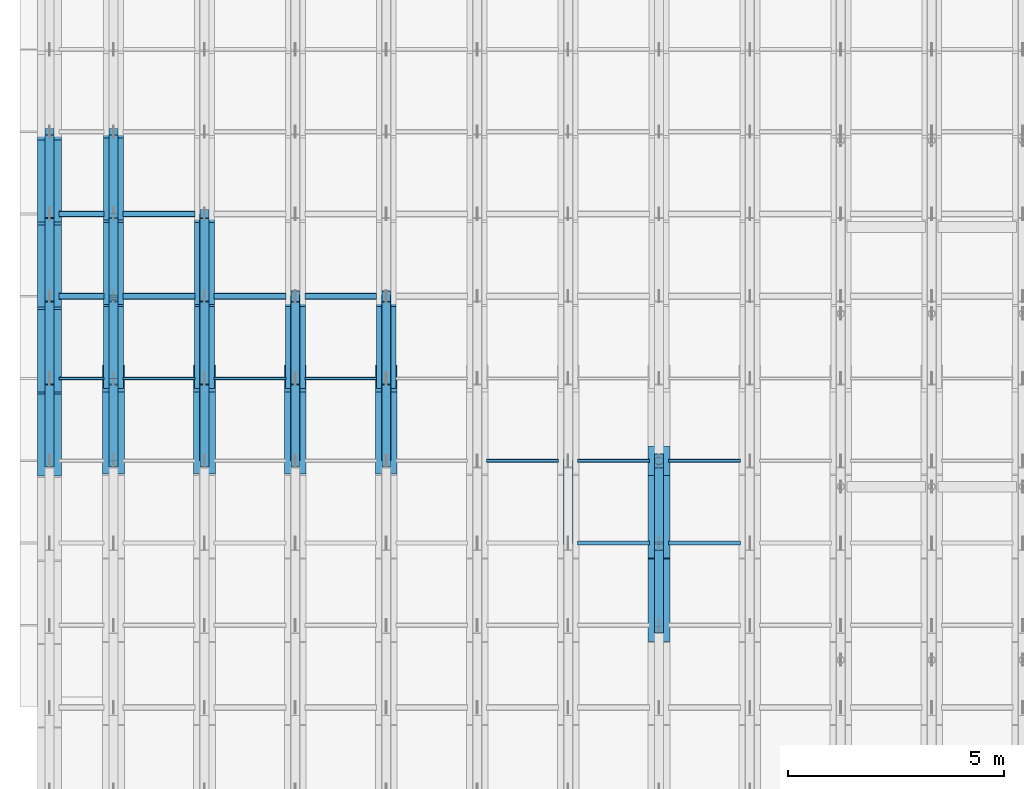
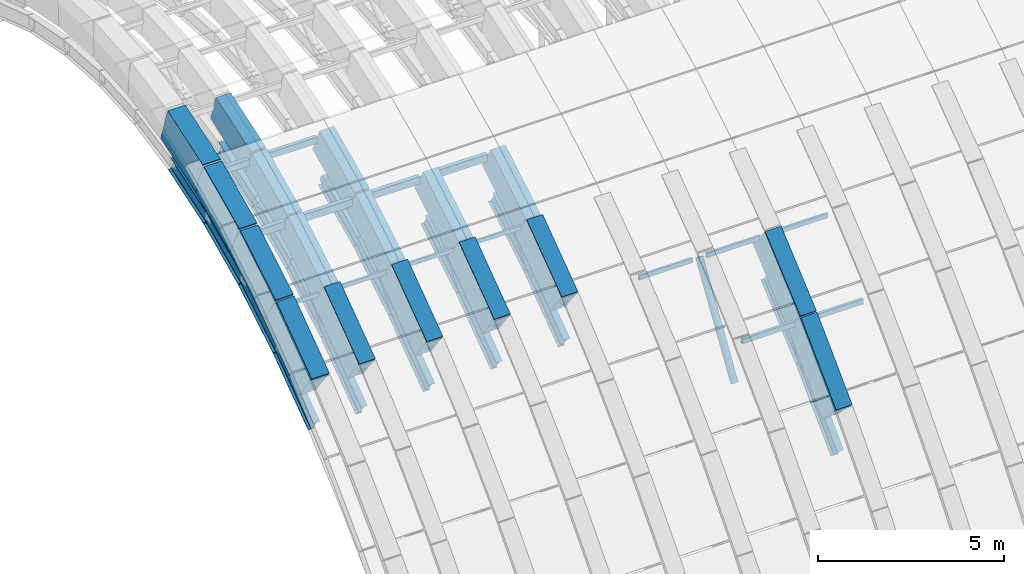
# One storey, part 3 of 67: 34 beams, 28 members.
"""IFC4 building model written with IfcOpenShell, lengths in metres."""

from ifc_helpers import new_model, si_unit, direction, frame, origin, origin_2d, place, context, subcontext, project, spatial, rectangle, hollow_rectangle, hollow_circle, i_section, extrude, material, material_profile, profile_set, type_object, element, save


model = new_model("IFC4")

# Units and contexts
model_context = context("Model", 3, precision=1e-05, world=origin(), true_north=direction((0.0, 1.0)))
body_context = subcontext(model_context, "Body", "Model", "MODEL_VIEW")
ifc_project = project(units=[si_unit("LENGTHUNIT", "METRE"), si_unit("AREAUNIT", "SQUARE_METRE"), si_unit("VOLUMEUNIT", "CUBIC_METRE"), si_unit("PLANEANGLEUNIT", "RADIAN"), si_unit("MASSUNIT", "GRAM", prefix="KILO")], contexts=[model_context])

# Site, building, storey
site_placement = place(None, origin())
site = spatial("IfcSite", under=ifc_project, at=site_placement, CompositionType="ELEMENT")
building_placement = place(site_placement, origin())
building = spatial("IfcBuilding", under=site, at=building_placement, Name="Shengluoqiao Park Theatre", CompositionType="ELEMENT")
storey_placement = place(building_placement, frame((0.0, 0.0, 28.60009765625)))
storey = spatial("IfcBuildingStorey", under=building, at=storey_placement, Name="Roof", CompositionType="ELEMENT", Elevation=28.60009765625)

# Beams
ifc_material_1 = material(Name="Concrete C50", Category="concrete")
ifc_material_profile_1 = material_profile(ifc_material_1, rectangle(XDim=0.4599609375, YDim=0.919921875, at=origin_2d()), Name="RC ARCH 460x920")
ifc_profile_set_1 = profile_set([ifc_material_profile_1], Name="Concrete C50")
beam_type_1 = type_object("IfcBeamType", Name="STR-BM-AR-4609", PredefinedType="BEAM", material=ifc_profile_set_1)
beam_1_placement = place(storey_placement, frame((46.5, 85.5, -0.570068359375), z_axis=(0.0, 0.858668723557, 0.512530997292), x_axis=(-1.0, 0.0, 0.0)))
element("IfcBeam", 1, at=beam_1_placement, inside=storey, type_object=beam_type_1, Name="Barrel-Shell Arch Rib R02-S06", PredefinedType="BEAM", context=body_context, shape_type="SweptSolid", body=[
    extrude(rectangle(XDim=0.4599609375, YDim=0.919921875, at=origin_2d()), origin(), (0.0, 0.0, 1.0), 2.212646484375),
])
beam_2_placement = place(storey_placement, frame((46.5, 87.39990234375, 0.56396484375), z_axis=(0.0, 0.907077318021, 0.420964059192), x_axis=(-1.0, 0.0, 0.0)))
element("IfcBeam", 2, at=beam_2_placement, inside=storey, type_object=beam_type_1, Name="Barrel-Shell Arch Rib R02-S07", PredefinedType="BEAM", context=body_context, shape_type="SweptSolid", body=[
    extrude(rectangle(XDim=0.4599609375, YDim=0.919921875, at=origin_2d()), origin(), (0.0, 0.0, 1.0), 2.0947265625),
])
beam_3_placement = place(storey_placement, frame((46.5, 89.300048828125, 1.44580078125), z_axis=(0.0, 0.949157901431, 0.314800378257), x_axis=(-1.0, 0.0, 0.0)))
element("IfcBeam", 3, at=beam_3_placement, inside=storey, type_object=beam_type_1, Name="Barrel-Shell Arch Rib R02-S08", PredefinedType="BEAM", context=body_context, shape_type="SweptSolid", body=[
    extrude(rectangle(XDim=0.4599609375, YDim=0.919921875, at=origin_2d()), origin(), (0.0, 0.0, 1.0), 2.001708984375),
])
beam_4_placement = place(storey_placement, frame((48.60009765625, 85.5, -0.570068359375), z_axis=(0.0, 0.858668723557, 0.512530997292), x_axis=(-1.0, 0.0, 0.0)))
element("IfcBeam", 4, at=beam_4_placement, inside=storey, type_object=beam_type_1, Name="Barrel-Shell Arch Rib R03-S06", PredefinedType="BEAM", context=body_context, shape_type="SweptSolid", body=[
    extrude(rectangle(XDim=0.4599609375, YDim=0.919921875, at=origin_2d()), origin(), (0.0, 0.0, 1.0), 2.212646484375),
])
beam_5_placement = place(storey_placement, frame((48.60009765625, 87.39990234375, 0.56396484375), z_axis=(0.0, 0.907077318021, 0.420964059192), x_axis=(-1.0, 0.0, 0.0)))
element("IfcBeam", 5, at=beam_5_placement, inside=storey, type_object=beam_type_1, Name="Barrel-Shell Arch Rib R03-S07", PredefinedType="BEAM", context=body_context, shape_type="SweptSolid", body=[
    extrude(rectangle(XDim=0.4599609375, YDim=0.919921875, at=origin_2d()), origin(), (0.0, 0.0, 1.0), 2.0947265625),
])
for number, where, z_axis, x_axis, name in (
    (6, (50.699951171875, 85.5, -0.570068359375), (0.0, 0.858668723557, 0.512530997292), (-1.0, 0.0, 0.0), "Barrel-Shell Arch Rib R04-S06"),
    (7, (52.800048828125, 85.5, -0.570068359375), (0.0, 0.858668723557, 0.512530997292), (-1.0, 0.0, 0.0), "Barrel-Shell Arch Rib R05-S06"),
):
    element("IfcBeam", number, at=place(storey_placement, frame(where, z_axis=z_axis, x_axis=x_axis)), inside=storey, type_object=beam_type_1, Name=name, PredefinedType="BEAM", context=body_context, shape_type="SweptSolid", body=[
        extrude(rectangle(XDim=0.4599609375, YDim=0.919921875, at=origin_2d()), origin(), (0.0, 0.0, 1.0), 2.212646484375),
    ])
ifc_material_profile_2 = material_profile(ifc_material_1, rectangle(XDim=0.5, YDim=1.050048828125, at=origin_2d()), Name="RC ARCH 500x1050")
ifc_profile_set_2 = profile_set([ifc_material_profile_2], Name="Concrete C50")
beam_type_2 = type_object("IfcBeamType", Name="STR-BM-AR-5010", PredefinedType="BEAM", material=ifc_profile_set_2)
for number, where, z_axis, x_axis, name in (
    (8, (46.5, 83.60009765625, -1.9560546875), (0.0, 0.807877780345, 0.589350058985), (-1.0, 0.0, 0.0), "Barrel-Shell Arch Rib R02-S05"),
    (9, (48.60009765625, 83.60009765625, -1.9560546875), (0.0, 0.807877780345, 0.589350058985), (-1.0, 0.0, 0.0), "Barrel-Shell Arch Rib R03-S05"),
    (10, (50.699951171875, 83.60009765625, -1.9560546875), (0.0, 0.807877780345, 0.589350058985), (-1.0, 0.0, 0.0), "Barrel-Shell Arch Rib R04-S05"),
    (11, (52.800048828125, 83.60009765625, -1.9560546875), (0.0, 0.807877780345, 0.589350058985), (-1.0, 0.0, 0.0), "Barrel-Shell Arch Rib R05-S05"),
):
    element("IfcBeam", number, at=place(storey_placement, frame(where, z_axis=z_axis, x_axis=x_axis)), inside=storey, type_object=beam_type_2, Name=name, PredefinedType="BEAM", context=body_context, shape_type="SweptSolid", body=[
        extrude(rectangle(XDim=0.5, YDim=1.050048828125, at=origin_2d()), origin(), (0.0, 0.0, 1.0), 2.351806640625),
    ])
beam_6_placement = place(storey_placement, frame((59.10009765625, 79.800048828125, -5.484130859375), z_axis=(0.0, 0.708926398432, 0.705282469373), x_axis=(-1.0, 0.0, 0.0)))
element("IfcBeam", 12, at=beam_6_placement, inside=storey, type_object=beam_type_2, Name="Barrel-Shell Arch Rib R08-S03", PredefinedType="BEAM", context=body_context, shape_type="SweptSolid", body=[
    extrude(rectangle(XDim=0.5, YDim=1.050048828125, at=origin_2d()), origin(), (0.0, 0.0, 1.0), 2.679931640625),
])
beam_7_placement = place(storey_placement, frame((59.10009765625, 81.699951171875, -3.593994140625), z_axis=(0.0, 0.757433195517, 0.652912669757), x_axis=(-1.0, 0.0, 0.0)))
element("IfcBeam", 13, at=beam_7_placement, inside=storey, type_object=beam_type_2, Name="Barrel-Shell Arch Rib R08-S04", PredefinedType="BEAM", context=body_context, shape_type="SweptSolid", body=[
    extrude(rectangle(XDim=0.5, YDim=1.050048828125, at=origin_2d()), origin(), (0.0, 0.0, 1.0), 2.508544921875),
])
ifc_material_profile_3 = material_profile(ifc_material_1, rectangle(XDim=0.550048828125, YDim=1.199951171875, at=origin_2d()), Name="RC ARCH 550x1200")
ifc_profile_set_3 = profile_set([ifc_material_profile_3], Name="Concrete C50")
beam_type_3 = type_object("IfcBeamType", Name="STR-BM-AR-5512", PredefinedType="BEAM", material=ifc_profile_set_3)
beam_8_placement = place(storey_placement, frame((45.02001953125, 83.60009765625, -1.9560546875), z_axis=(0.0, 0.807877780345, 0.589350058985), x_axis=(-1.0, 0.0, 0.0)))
element("IfcBeam", 14, at=beam_8_placement, inside=storey, type_object=beam_type_3, Name="Barrel-Shell Arch Rib R01-S05", PredefinedType="BEAM", context=body_context, shape_type="SweptSolid", body=[
    extrude(rectangle(XDim=0.550048828125, YDim=1.199951171875, at=origin_2d()), origin(), (0.0, 0.0, 1.0), 2.351806640625),
])
beam_9_placement = place(storey_placement, frame((45.02001953125, 85.5, -0.570068359375), z_axis=(0.0, 0.858668723557, 0.512530997292), x_axis=(-1.0, 0.0, 0.0)))
element("IfcBeam", 15, at=beam_9_placement, inside=storey, type_object=beam_type_3, Name="Barrel-Shell Arch Rib R01-S06", PredefinedType="BEAM", context=body_context, shape_type="SweptSolid", body=[
    extrude(rectangle(XDim=0.550048828125, YDim=1.199951171875, at=origin_2d()), origin(), (0.0, 0.0, 1.0), 2.212646484375),
])
beam_10_placement = place(storey_placement, frame((45.02001953125, 87.39990234375, 0.56396484375), z_axis=(0.0, 0.907077318021, 0.420964059192), x_axis=(-1.0, 0.0, 0.0)))
element("IfcBeam", 16, at=beam_10_placement, inside=storey, type_object=beam_type_3, Name="Barrel-Shell Arch Rib R01-S07", PredefinedType="BEAM", context=body_context, shape_type="SweptSolid", body=[
    extrude(rectangle(XDim=0.550048828125, YDim=1.199951171875, at=origin_2d()), origin(), (0.0, 0.0, 1.0), 2.0947265625),
])
beam_11_placement = place(storey_placement, frame((45.02001953125, 89.300048828125, 1.44580078125), z_axis=(0.0, 0.949157901431, 0.314800378257), x_axis=(-1.0, 0.0, 0.0)))
element("IfcBeam", 17, at=beam_11_placement, inside=storey, type_object=beam_type_3, Name="Barrel-Shell Arch Rib R01-S08", PredefinedType="BEAM", context=body_context, shape_type="SweptSolid", body=[
    extrude(rectangle(XDim=0.550048828125, YDim=1.199951171875, at=origin_2d()), origin(), (0.0, 0.0, 1.0), 2.001708984375),
])
ifc_material_2 = material(Name="Steel Q355", Category="steel")
ifc_material_profile_4 = material_profile(ifc_material_2, i_section(OverallWidth=0.199951171875, OverallDepth=0.5, WebThickness=0.010009765625, FlangeThickness=0.01611328125, FilletRadius=0.01806640625, at=origin_2d()), Name="HN 500x200x10x16")
ifc_profile_set_4 = profile_set([ifc_material_profile_4], Name="Steel Q355")
beam_type_4 = type_object("IfcBeamType", Name="STR-BM-J-HN500", PredefinedType="JOIST", material=ifc_profile_set_4)
beam_12_placement = place(storey_placement, frame((45.02001953125, 83.60009765625, -3.316162109375), z_axis=(0.0, 0.807877780345, 0.589350058985), x_axis=(-1.0, 0.0, 0.0)))
element("IfcBeam", 18, at=beam_12_placement, inside=storey, type_object=beam_type_4, Name="Barrel-Shell Lower Arch Chord R01-S05", PredefinedType="JOIST", context=body_context, shape_type="SweptSolid", body=[
    extrude(i_section(OverallWidth=0.199951171875, OverallDepth=0.5, WebThickness=0.010009765625, FlangeThickness=0.01611328125, FilletRadius=0.01806640625, at=origin_2d()), origin(), (0.0, 0.0, 1.0), 2.351806640625),
])
beam_13_placement = place(storey_placement, frame((45.02001953125, 85.5, -1.93017578125), z_axis=(0.0, 0.858668723557, 0.512530997292), x_axis=(-1.0, 0.0, 0.0)))
element("IfcBeam", 19, at=beam_13_placement, inside=storey, type_object=beam_type_4, Name="Barrel-Shell Lower Arch Chord R01-S06", PredefinedType="JOIST", context=body_context, shape_type="SweptSolid", body=[
    extrude(i_section(OverallWidth=0.199951171875, OverallDepth=0.5, WebThickness=0.010009765625, FlangeThickness=0.01611328125, FilletRadius=0.01806640625, at=origin_2d()), origin(), (0.0, 0.0, 1.0), 2.212646484375),
])
beam_14_placement = place(storey_placement, frame((45.02001953125, 87.39990234375, -0.796142578125), z_axis=(0.0, 0.907032812412, 0.421059944911), x_axis=(-1.0, 0.0, 0.0)))
element("IfcBeam", 20, at=beam_14_placement, inside=storey, type_object=beam_type_4, Name="Barrel-Shell Lower Arch Chord R01-S07", PredefinedType="JOIST", context=body_context, shape_type="SweptSolid", body=[
    extrude(i_section(OverallWidth=0.199951171875, OverallDepth=0.5, WebThickness=0.010009765625, FlangeThickness=0.01611328125, FilletRadius=0.01806640625, at=origin_2d()), origin(), (0.0, 0.0, 1.0), 2.094970703125),
])
beam_15_placement = place(storey_placement, frame((45.02001953125, 89.300048828125, 0.0859375), z_axis=(0.0, 0.949194340043, 0.314690490531), x_axis=(-1.0, 0.0, 0.0)))
element("IfcBeam", 21, at=beam_15_placement, inside=storey, type_object=beam_type_4, Name="Barrel-Shell Lower Arch Chord R01-S08", PredefinedType="JOIST", context=body_context, shape_type="SweptSolid", body=[
    extrude(i_section(OverallWidth=0.199951171875, OverallDepth=0.5, WebThickness=0.010009765625, FlangeThickness=0.01611328125, FilletRadius=0.01806640625, at=origin_2d()), origin(), (0.0, 0.0, 1.0), 2.001708984375),
])
beam_16_placement = place(storey_placement, frame((46.5, 83.60009765625, -3.316162109375), z_axis=(0.0, 0.807877780345, 0.589350058985), x_axis=(-1.0, 0.0, 0.0)))
element("IfcBeam", 22, at=beam_16_placement, inside=storey, type_object=beam_type_4, Name="Barrel-Shell Lower Arch Chord R02-S05", PredefinedType="JOIST", context=body_context, shape_type="SweptSolid", body=[
    extrude(i_section(OverallWidth=0.199951171875, OverallDepth=0.5, WebThickness=0.010009765625, FlangeThickness=0.01611328125, FilletRadius=0.01806640625, at=origin_2d()), origin(), (0.0, 0.0, 1.0), 2.351806640625),
])
beam_17_placement = place(storey_placement, frame((46.5, 85.5, -1.93017578125), z_axis=(0.0, 0.858668723557, 0.512530997292), x_axis=(-1.0, 0.0, 0.0)))
element("IfcBeam", 23, at=beam_17_placement, inside=storey, type_object=beam_type_4, Name="Barrel-Shell Lower Arch Chord R02-S06", PredefinedType="JOIST", context=body_context, shape_type="SweptSolid", body=[
    extrude(i_section(OverallWidth=0.199951171875, OverallDepth=0.5, WebThickness=0.010009765625, FlangeThickness=0.01611328125, FilletRadius=0.01806640625, at=origin_2d()), origin(), (0.0, 0.0, 1.0), 2.212646484375),
])
beam_18_placement = place(storey_placement, frame((46.5, 87.39990234375, -0.796142578125), z_axis=(0.0, 0.907032812412, 0.421059944911), x_axis=(-1.0, 0.0, 0.0)))
element("IfcBeam", 24, at=beam_18_placement, inside=storey, type_object=beam_type_4, Name="Barrel-Shell Lower Arch Chord R02-S07", PredefinedType="JOIST", context=body_context, shape_type="SweptSolid", body=[
    extrude(i_section(OverallWidth=0.199951171875, OverallDepth=0.5, WebThickness=0.010009765625, FlangeThickness=0.01611328125, FilletRadius=0.01806640625, at=origin_2d()), origin(), (0.0, 0.0, 1.0), 2.094970703125),
])
beam_19_placement = place(storey_placement, frame((46.5, 89.300048828125, 0.0859375), z_axis=(0.0, 0.949194340043, 0.314690490531), x_axis=(-1.0, 0.0, 0.0)))
element("IfcBeam", 25, at=beam_19_placement, inside=storey, type_object=beam_type_4, Name="Barrel-Shell Lower Arch Chord R02-S08", PredefinedType="JOIST", context=body_context, shape_type="SweptSolid", body=[
    extrude(i_section(OverallWidth=0.199951171875, OverallDepth=0.5, WebThickness=0.010009765625, FlangeThickness=0.01611328125, FilletRadius=0.01806640625, at=origin_2d()), origin(), (0.0, 0.0, 1.0), 2.001708984375),
])
beam_20_placement = place(storey_placement, frame((48.60009765625, 83.60009765625, -3.316162109375), z_axis=(0.0, 0.807877780345, 0.589350058985), x_axis=(-1.0, 0.0, 0.0)))
element("IfcBeam", 26, at=beam_20_placement, inside=storey, type_object=beam_type_4, Name="Barrel-Shell Lower Arch Chord R03-S05", PredefinedType="JOIST", context=body_context, shape_type="SweptSolid", body=[
    extrude(i_section(OverallWidth=0.199951171875, OverallDepth=0.5, WebThickness=0.010009765625, FlangeThickness=0.01611328125, FilletRadius=0.01806640625, at=origin_2d()), origin(), (0.0, 0.0, 1.0), 2.351806640625),
])
beam_21_placement = place(storey_placement, frame((48.60009765625, 85.5, -1.93017578125), z_axis=(0.0, 0.858668723557, 0.512530997292), x_axis=(-1.0, 0.0, 0.0)))
element("IfcBeam", 27, at=beam_21_placement, inside=storey, type_object=beam_type_4, Name="Barrel-Shell Lower Arch Chord R03-S06", PredefinedType="JOIST", context=body_context, shape_type="SweptSolid", body=[
    extrude(i_section(OverallWidth=0.199951171875, OverallDepth=0.5, WebThickness=0.010009765625, FlangeThickness=0.01611328125, FilletRadius=0.01806640625, at=origin_2d()), origin(), (0.0, 0.0, 1.0), 2.212646484375),
])
beam_22_placement = place(storey_placement, frame((48.60009765625, 87.39990234375, -0.796142578125), z_axis=(0.0, 0.907032812412, 0.421059944911), x_axis=(-1.0, 0.0, 0.0)))
element("IfcBeam", 28, at=beam_22_placement, inside=storey, type_object=beam_type_4, Name="Barrel-Shell Lower Arch Chord R03-S07", PredefinedType="JOIST", context=body_context, shape_type="SweptSolid", body=[
    extrude(i_section(OverallWidth=0.199951171875, OverallDepth=0.5, WebThickness=0.010009765625, FlangeThickness=0.01611328125, FilletRadius=0.01806640625, at=origin_2d()), origin(), (0.0, 0.0, 1.0), 2.094970703125),
])
beam_23_placement = place(storey_placement, frame((50.699951171875, 83.60009765625, -3.316162109375), z_axis=(0.0, 0.807877780345, 0.589350058985), x_axis=(-1.0, 0.0, 0.0)))
element("IfcBeam", 29, at=beam_23_placement, inside=storey, type_object=beam_type_4, Name="Barrel-Shell Lower Arch Chord R04-S05", PredefinedType="JOIST", context=body_context, shape_type="SweptSolid", body=[
    extrude(i_section(OverallWidth=0.199951171875, OverallDepth=0.5, WebThickness=0.010009765625, FlangeThickness=0.01611328125, FilletRadius=0.01806640625, at=origin_2d()), origin(), (0.0, 0.0, 1.0), 2.351806640625),
])
beam_24_placement = place(storey_placement, frame((50.699951171875, 85.5, -1.93017578125), z_axis=(0.0, 0.858668723557, 0.512530997292), x_axis=(-1.0, 0.0, 0.0)))
element("IfcBeam", 30, at=beam_24_placement, inside=storey, type_object=beam_type_4, Name="Barrel-Shell Lower Arch Chord R04-S06", PredefinedType="JOIST", context=body_context, shape_type="SweptSolid", body=[
    extrude(i_section(OverallWidth=0.199951171875, OverallDepth=0.5, WebThickness=0.010009765625, FlangeThickness=0.01611328125, FilletRadius=0.01806640625, at=origin_2d()), origin(), (0.0, 0.0, 1.0), 2.212646484375),
])
beam_25_placement = place(storey_placement, frame((52.800048828125, 83.60009765625, -3.316162109375), z_axis=(0.0, 0.807877780345, 0.589350058985), x_axis=(-1.0, 0.0, 0.0)))
element("IfcBeam", 31, at=beam_25_placement, inside=storey, type_object=beam_type_4, Name="Barrel-Shell Lower Arch Chord R05-S05", PredefinedType="JOIST", context=body_context, shape_type="SweptSolid", body=[
    extrude(i_section(OverallWidth=0.199951171875, OverallDepth=0.5, WebThickness=0.010009765625, FlangeThickness=0.01611328125, FilletRadius=0.01806640625, at=origin_2d()), origin(), (0.0, 0.0, 1.0), 2.351806640625),
])
beam_26_placement = place(storey_placement, frame((52.800048828125, 85.5, -1.93017578125), z_axis=(0.0, 0.858668723557, 0.512530997292), x_axis=(-1.0, 0.0, 0.0)))
element("IfcBeam", 32, at=beam_26_placement, inside=storey, type_object=beam_type_4, Name="Barrel-Shell Lower Arch Chord R05-S06", PredefinedType="JOIST", context=body_context, shape_type="SweptSolid", body=[
    extrude(i_section(OverallWidth=0.199951171875, OverallDepth=0.5, WebThickness=0.010009765625, FlangeThickness=0.01611328125, FilletRadius=0.01806640625, at=origin_2d()), origin(), (0.0, 0.0, 1.0), 2.212646484375),
])
beam_27_placement = place(storey_placement, frame((59.10009765625, 79.800048828125, -6.843994140625), z_axis=(0.0, 0.708971948389, 0.70523668112), x_axis=(-1.0, 0.0, 0.0)))
element("IfcBeam", 33, at=beam_27_placement, inside=storey, type_object=beam_type_4, Name="Barrel-Shell Lower Arch Chord R08-S03", PredefinedType="JOIST", context=body_context, shape_type="SweptSolid", body=[
    extrude(i_section(OverallWidth=0.199951171875, OverallDepth=0.5, WebThickness=0.010009765625, FlangeThickness=0.01611328125, FilletRadius=0.01806640625, at=origin_2d()), origin(), (0.0, 0.0, 1.0), 2.6796875),
])
beam_28_placement = place(storey_placement, frame((59.10009765625, 81.699951171875, -4.9541015625), z_axis=(0.0, 0.757433195517, 0.652912669757), x_axis=(-1.0, 0.0, 0.0)))
element("IfcBeam", 34, at=beam_28_placement, inside=storey, type_object=beam_type_4, Name="Barrel-Shell Lower Arch Chord R08-S04", PredefinedType="JOIST", context=body_context, shape_type="SweptSolid", body=[
    extrude(i_section(OverallWidth=0.199951171875, OverallDepth=0.5, WebThickness=0.010009765625, FlangeThickness=0.01611328125, FilletRadius=0.01806640625, at=origin_2d()), origin(), (0.0, 0.0, 1.0), 2.508544921875),
])

# Members
ifc_material_profile_5 = material_profile(ifc_material_2, hollow_circle(Radius=0.109619140625, WallThickness=0.010009765625, at=origin_2d()), Name="CHS 219x10")
ifc_profile_set_5 = profile_set([ifc_material_profile_5], Name="Steel Q355")
member_type_1 = type_object("IfcMemberType", Name="STR-MEM-BRC-219", PredefinedType="BRACE", material=ifc_profile_set_5)
member_1_placement = place(storey_placement, frame((46.5, 83.60009765625, -1.9560546875), z_axis=(0.0, 0.999907244674, 0.013619913639), x_axis=(-1.0, 0.0, 0.0)))
element("IfcMember", 35, at=member_1_placement, inside=storey, type_object=member_type_1, Name="Barrel-Shell Arch Truss Web 0025", PredefinedType="BRACE", context=body_context, shape_type="SweptSolid", body=[
    extrude(hollow_circle(Radius=0.109619140625, WallThickness=0.010009765625, at=origin_2d()), origin(), (0.0, 0.0, 1.0), 1.900146484375),
])
member_2_placement = place(storey_placement, frame((46.5, 85.5, -1.93017578125), z_axis=(0.0, 0.605963445698, 0.795492490523), x_axis=(-1.0, 0.0, 0.0)))
element("IfcMember", 36, at=member_2_placement, inside=storey, type_object=member_type_1, Name="Barrel-Shell Arch Truss Web 0026", PredefinedType="BRACE", context=body_context, shape_type="SweptSolid", body=[
    extrude(hollow_circle(Radius=0.109619140625, WallThickness=0.010009765625, at=origin_2d()), origin(), (0.0, 0.0, 1.0), 3.13525390625),
])
member_3_placement = place(storey_placement, frame((46.5, 87.39990234375, 0.56396484375), z_axis=(0.0, 0.96978228772, -0.243971954176), x_axis=(-1.0, 0.0, 0.0)))
element("IfcMember", 37, at=member_3_placement, inside=storey, type_object=member_type_1, Name="Barrel-Shell Arch Truss Web 0027", PredefinedType="BRACE", context=body_context, shape_type="SweptSolid", body=[
    extrude(hollow_circle(Radius=0.109619140625, WallThickness=0.010009765625, at=origin_2d()), origin(), (0.0, 0.0, 1.0), 1.95947265625),
])
member_4_placement = place(storey_placement, frame((48.60009765625, 83.60009765625, -1.9560546875), z_axis=(0.0, 0.999907244674, 0.013619913639), x_axis=(-1.0, 0.0, 0.0)))
element("IfcMember", 38, at=member_4_placement, inside=storey, type_object=member_type_1, Name="Barrel-Shell Arch Truss Web 0045", PredefinedType="BRACE", context=body_context, shape_type="SweptSolid", body=[
    extrude(hollow_circle(Radius=0.109619140625, WallThickness=0.010009765625, at=origin_2d()), origin(), (0.0, 0.0, 1.0), 1.900146484375),
])
member_5_placement = place(storey_placement, frame((48.60009765625, 85.5, -1.93017578125), z_axis=(0.0, 0.605963445698, 0.795492490523), x_axis=(-1.0, 0.0, 0.0)))
element("IfcMember", 39, at=member_5_placement, inside=storey, type_object=member_type_1, Name="Barrel-Shell Arch Truss Web 0046", PredefinedType="BRACE", context=body_context, shape_type="SweptSolid", body=[
    extrude(hollow_circle(Radius=0.109619140625, WallThickness=0.010009765625, at=origin_2d()), origin(), (0.0, 0.0, 1.0), 3.13525390625),
])
member_6_placement = place(storey_placement, frame((48.60009765625, 87.39990234375, 0.56396484375), z_axis=(0.0, 0.96978228772, -0.243971954176), x_axis=(-1.0, 0.0, 0.0)))
element("IfcMember", 40, at=member_6_placement, inside=storey, type_object=member_type_1, Name="Barrel-Shell Arch Truss Web 0047", PredefinedType="BRACE", context=body_context, shape_type="SweptSolid", body=[
    extrude(hollow_circle(Radius=0.109619140625, WallThickness=0.010009765625, at=origin_2d()), origin(), (0.0, 0.0, 1.0), 1.95947265625),
])
member_7_placement = place(storey_placement, frame((50.699951171875, 83.60009765625, -1.9560546875), z_axis=(0.0, 0.999907244674, 0.013619913639), x_axis=(-1.0, 0.0, 0.0)))
element("IfcMember", 41, at=member_7_placement, inside=storey, type_object=member_type_1, Name="Barrel-Shell Arch Truss Web 0065", PredefinedType="BRACE", context=body_context, shape_type="SweptSolid", body=[
    extrude(hollow_circle(Radius=0.109619140625, WallThickness=0.010009765625, at=origin_2d()), origin(), (0.0, 0.0, 1.0), 1.900146484375),
])
member_8_placement = place(storey_placement, frame((50.699951171875, 85.5, -1.93017578125), z_axis=(0.0, 0.605963445698, 0.795492490523), x_axis=(-1.0, 0.0, 0.0)))
element("IfcMember", 42, at=member_8_placement, inside=storey, type_object=member_type_1, Name="Barrel-Shell Arch Truss Web 0066", PredefinedType="BRACE", context=body_context, shape_type="SweptSolid", body=[
    extrude(hollow_circle(Radius=0.109619140625, WallThickness=0.010009765625, at=origin_2d()), origin(), (0.0, 0.0, 1.0), 3.13525390625),
])
member_9_placement = place(storey_placement, frame((52.800048828125, 83.60009765625, -1.9560546875), z_axis=(0.0, 0.999907244674, 0.013619913639), x_axis=(-1.0, 0.0, 0.0)))
element("IfcMember", 43, at=member_9_placement, inside=storey, type_object=member_type_1, Name="Barrel-Shell Arch Truss Web 0085", PredefinedType="BRACE", context=body_context, shape_type="SweptSolid", body=[
    extrude(hollow_circle(Radius=0.109619140625, WallThickness=0.010009765625, at=origin_2d()), origin(), (0.0, 0.0, 1.0), 1.900146484375),
])
member_10_placement = place(storey_placement, frame((52.800048828125, 85.5, -1.93017578125), z_axis=(0.0, 0.605963445698, 0.795492490523), x_axis=(-1.0, 0.0, 0.0)))
element("IfcMember", 44, at=member_10_placement, inside=storey, type_object=member_type_1, Name="Barrel-Shell Arch Truss Web 0086", PredefinedType="BRACE", context=body_context, shape_type="SweptSolid", body=[
    extrude(hollow_circle(Radius=0.109619140625, WallThickness=0.010009765625, at=origin_2d()), origin(), (0.0, 0.0, 1.0), 3.13525390625),
])
member_11_placement = place(storey_placement, frame((57.0, 81.699951171875, -4.9541015625), z_axis=(0.0, 0.535330234694, 0.844642847494), x_axis=(-1.0, 0.0, 0.0)))
element("IfcMember", 45, at=member_11_placement, inside=storey, type_object=member_type_1, Name="Barrel-Shell Arch Truss Web 0124", PredefinedType="BRACE", context=body_context, shape_type="SweptSolid", body=[
    extrude(hollow_circle(Radius=0.109619140625, WallThickness=0.010009765625, at=origin_2d()), origin(), (0.0, 0.0, 1.0), 3.549560546875),
])
member_12_placement = place(storey_placement, frame((59.10009765625, 79.800048828125, -5.484130859375), z_axis=(0.0, 0.963219400843, 0.268716180831), x_axis=(-1.0, 0.0, 0.0)))
element("IfcMember", 46, at=member_12_placement, inside=storey, type_object=member_type_1, Name="Barrel-Shell Arch Truss Web 0143", PredefinedType="BRACE", context=body_context, shape_type="SweptSolid", body=[
    extrude(hollow_circle(Radius=0.109619140625, WallThickness=0.010009765625, at=origin_2d()), origin(), (0.0, 0.0, 1.0), 1.972412109375),
])
member_13_placement = place(storey_placement, frame((59.10009765625, 81.699951171875, -4.9541015625), z_axis=(0.0, 0.535330234694, 0.844642847494), x_axis=(-1.0, 0.0, 0.0)))
element("IfcMember", 47, at=member_13_placement, inside=storey, type_object=member_type_1, Name="Barrel-Shell Arch Truss Web 0144", PredefinedType="BRACE", context=body_context, shape_type="SweptSolid", body=[
    extrude(hollow_circle(Radius=0.109619140625, WallThickness=0.010009765625, at=origin_2d()), origin(), (0.0, 0.0, 1.0), 3.549560546875),
])
ifc_material_profile_6 = material_profile(ifc_material_2, hollow_rectangle(XDim=0.070068359375, YDim=0.139892578125, WallThickness=0.006103515625, InnerFilletRadius=0.006103515625, OuterFilletRadius=0.011962890625, at=origin_2d()), Name="RHS 140x70x6")
ifc_profile_set_6 = profile_set([ifc_material_profile_6], Name="Steel Q355")
member_type_2 = type_object("IfcMemberType", Name="STR-MEM-PU-R140", PredefinedType="PURLIN", material=ifc_profile_set_6)
member_14_placement = place(storey_placement, frame((45.239990234375, 85.5, -0.570068359375), z_axis=(1.0, 0.0, 0.0), x_axis=(0.0, 1.0, 0.0)))
element("IfcMember", 48, at=member_14_placement, inside=storey, type_object=member_type_2, Name="Shell Longitudinal Purlin 0005", PredefinedType="PURLIN", context=body_context, shape_type="SweptSolid", body=[
    extrude(hollow_rectangle(XDim=0.070068359375, YDim=0.139892578125, WallThickness=0.006103515625, InnerFilletRadius=0.006103515625, OuterFilletRadius=0.011962890625, at=origin_2d()), origin(), (0.0, 0.0, 1.0), 1.0400390625),
])
for number, where, z_axis, x_axis, name in (
    (49, (46.719970703125, 85.5, -0.570068359375), (1.0, 0.0, 0.0), (0.0, 1.0, 0.0), "Shell Longitudinal Purlin 0024"),
    (50, (48.820068359375, 85.5, -0.570068359375), (1.0, 0.0, 0.0), (0.0, 1.0, 0.0), "Shell Longitudinal Purlin 0043"),
):
    element("IfcMember", number, at=place(storey_placement, frame(where, z_axis=z_axis, x_axis=x_axis)), inside=storey, type_object=member_type_2, Name=name, PredefinedType="PURLIN", context=body_context, shape_type="SweptSolid", body=[
        extrude(hollow_rectangle(XDim=0.070068359375, YDim=0.139892578125, WallThickness=0.006103515625, InnerFilletRadius=0.006103515625, OuterFilletRadius=0.011962890625, at=origin_2d()), origin(), (0.0, 0.0, 1.0), 1.659912109375),
    ])
member_15_placement = place(storey_placement, frame((50.919921875, 85.5, -0.570068359375), z_axis=(1.0, 0.0, 0.0), x_axis=(0.0, 1.0, 0.0)))
element("IfcMember", 51, at=member_15_placement, inside=storey, type_object=member_type_2, Name="Shell Longitudinal Purlin 0062", PredefinedType="PURLIN", context=body_context, shape_type="SweptSolid", body=[
    extrude(hollow_rectangle(XDim=0.070068359375, YDim=0.139892578125, WallThickness=0.006103515625, InnerFilletRadius=0.006103515625, OuterFilletRadius=0.011962890625, at=origin_2d()), origin(), (0.0, 0.0, 1.0), 1.66015625),
])
ifc_material_profile_7 = material_profile(ifc_material_2, hollow_rectangle(XDim=0.080078125, YDim=0.159912109375, WallThickness=0.006103515625, InnerFilletRadius=0.006103515625, OuterFilletRadius=0.011962890625, at=origin_2d()), Name="RHS 160x80x6")
ifc_profile_set_7 = profile_set([ifc_material_profile_7], Name="Steel Q355")
member_type_3 = type_object("IfcMemberType", Name="STR-MEM-PU-R160", PredefinedType="PURLIN", material=ifc_profile_set_7)
for number, where, z_axis, x_axis, name in (
    (52, (55.1201171875, 83.60009765625, -1.97607421875), (1.0, 0.0, 0.0), (0.0, 1.0, 0.0), "Shell Longitudinal Purlin 0099"),
    (53, (57.219970703125, 83.60009765625, -1.97607421875), (1.0, 0.0, 0.0), (0.0, 1.0, 0.0), "Shell Longitudinal Purlin 0118"),
    (54, (59.320068359375, 83.60009765625, -1.97607421875), (1.0, 0.0, 0.0), (0.0, 1.0, 0.0), "Shell Longitudinal Purlin 0137"),
):
    element("IfcMember", number, at=place(storey_placement, frame(where, z_axis=z_axis, x_axis=x_axis)), inside=storey, type_object=member_type_3, Name=name, PredefinedType="PURLIN", context=body_context, shape_type="SweptSolid", body=[
        extrude(hollow_rectangle(XDim=0.080078125, YDim=0.159912109375, WallThickness=0.006103515625, InnerFilletRadius=0.006103515625, OuterFilletRadius=0.011962890625, at=origin_2d()), origin(), (0.0, 0.0, 1.0), 1.659912109375),
    ])
ifc_material_profile_8 = material_profile(ifc_material_2, hollow_rectangle(XDim=0.10009765625, YDim=0.179931640625, WallThickness=0.008056640625, InnerFilletRadius=0.008056640625, OuterFilletRadius=0.01611328125, at=origin_2d()), Name="RHS 180x100x8")
ifc_profile_set_8 = profile_set([ifc_material_profile_8], Name="Steel Q355")
member_type_4 = type_object("IfcMemberType", Name="STR-MEM-PU-R180", PredefinedType="PURLIN", material=ifc_profile_set_8)
for number, where, z_axis, x_axis, name in (
    (55, (57.219970703125, 81.699951171875, -3.64404296875), (1.0, 0.0, 0.0), (0.0, 1.0, 0.0), "Shell Longitudinal Purlin 0117"),
    (56, (59.320068359375, 81.699951171875, -3.64404296875), (1.0, 0.0, 0.0), (0.0, 1.0, 0.0), "Shell Longitudinal Purlin 0136"),
):
    element("IfcMember", number, at=place(storey_placement, frame(where, z_axis=z_axis, x_axis=x_axis)), inside=storey, type_object=member_type_4, Name=name, PredefinedType="PURLIN", context=body_context, shape_type="SweptSolid", body=[
        extrude(hollow_rectangle(XDim=0.10009765625, YDim=0.179931640625, WallThickness=0.008056640625, InnerFilletRadius=0.008056640625, OuterFilletRadius=0.01611328125, at=origin_2d()), origin(), (0.0, 0.0, 1.0), 1.659912109375),
    ])
ifc_material_profile_9 = material_profile(ifc_material_2, hollow_rectangle(XDim=0.139892578125, YDim=0.219970703125, WallThickness=0.010009765625, InnerFilletRadius=0.010009765625, OuterFilletRadius=0.02001953125, at=origin_2d()), Name="RHS 220x140x10")
ifc_profile_set_9 = profile_set([ifc_material_profile_9], Name="Steel Q355")
member_type_5 = type_object("IfcMemberType", Name="STR-MEM-PU-R220", PredefinedType="PURLIN", material=ifc_profile_set_9)
member_16_placement = place(storey_placement, frame((45.239990234375, 89.300048828125, 1.475830078125), z_axis=(1.0, 0.0, 0.0), x_axis=(0.0, 1.0, 0.0)))
element("IfcMember", 57, at=member_16_placement, inside=storey, type_object=member_type_5, Name="Shell Longitudinal Purlin 0007", PredefinedType="PURLIN", context=body_context, shape_type="SweptSolid", body=[
    extrude(hollow_rectangle(XDim=0.139892578125, YDim=0.219970703125, WallThickness=0.010009765625, InnerFilletRadius=0.010009765625, OuterFilletRadius=0.02001953125, at=origin_2d()), origin(), (0.0, 0.0, 1.0), 1.0400390625),
])
member_17_placement = place(storey_placement, frame((46.719970703125, 89.300048828125, 1.475830078125), z_axis=(1.0, 0.0, 0.0), x_axis=(0.0, 1.0, 0.0)))
element("IfcMember", 58, at=member_17_placement, inside=storey, type_object=member_type_5, Name="Shell Longitudinal Purlin 0026", PredefinedType="PURLIN", context=body_context, shape_type="SweptSolid", body=[
    extrude(hollow_rectangle(XDim=0.139892578125, YDim=0.219970703125, WallThickness=0.010009765625, InnerFilletRadius=0.010009765625, OuterFilletRadius=0.02001953125, at=origin_2d()), origin(), (0.0, 0.0, 1.0), 1.659912109375),
])
ifc_material_profile_10 = material_profile(ifc_material_2, hollow_rectangle(XDim=0.14990234375, YDim=0.25, WallThickness=0.010009765625, InnerFilletRadius=0.010009765625, OuterFilletRadius=0.02001953125, at=origin_2d()), Name="RHS 250x150x10")
ifc_profile_set_10 = profile_set([ifc_material_profile_10], Name="Steel Q355")
member_type_6 = type_object("IfcMemberType", Name="STR-MEM-PU-R250", PredefinedType="PURLIN", material=ifc_profile_set_10)
member_18_placement = place(storey_placement, frame((45.239990234375, 87.39990234375, 0.583984375), z_axis=(1.0, 0.0, 0.0), x_axis=(0.0, 1.0, 0.0)))
element("IfcMember", 59, at=member_18_placement, inside=storey, type_object=member_type_6, Name="Shell Longitudinal Purlin 0006", PredefinedType="PURLIN", context=body_context, shape_type="SweptSolid", body=[
    extrude(hollow_rectangle(XDim=0.14990234375, YDim=0.25, WallThickness=0.010009765625, InnerFilletRadius=0.010009765625, OuterFilletRadius=0.02001953125, at=origin_2d()), origin(), (0.0, 0.0, 1.0), 1.0400390625),
])
for number, where, z_axis, x_axis, name in (
    (60, (46.719970703125, 87.39990234375, 0.583984375), (1.0, 0.0, 0.0), (0.0, 1.0, 0.0), "Shell Longitudinal Purlin 0025"),
    (61, (48.820068359375, 87.39990234375, 0.583984375), (1.0, 0.0, 0.0), (0.0, 1.0, 0.0), "Shell Longitudinal Purlin 0044"),
):
    element("IfcMember", number, at=place(storey_placement, frame(where, z_axis=z_axis, x_axis=x_axis)), inside=storey, type_object=member_type_6, Name=name, PredefinedType="PURLIN", context=body_context, shape_type="SweptSolid", body=[
        extrude(hollow_rectangle(XDim=0.14990234375, YDim=0.25, WallThickness=0.010009765625, InnerFilletRadius=0.010009765625, OuterFilletRadius=0.02001953125, at=origin_2d()), origin(), (0.0, 0.0, 1.0), 1.659912109375),
    ])
member_19_placement = place(storey_placement, frame((50.919921875, 87.39990234375, 0.583984375), z_axis=(1.0, 0.0, 0.0), x_axis=(0.0, 1.0, 0.0)))
element("IfcMember", 62, at=member_19_placement, inside=storey, type_object=member_type_6, Name="Shell Longitudinal Purlin 0063", PredefinedType="PURLIN", context=body_context, shape_type="SweptSolid", body=[
    extrude(hollow_rectangle(XDim=0.14990234375, YDim=0.25, WallThickness=0.010009765625, InnerFilletRadius=0.010009765625, OuterFilletRadius=0.02001953125, at=origin_2d()), origin(), (0.0, 0.0, 1.0), 1.66015625),
])

save(model, "model.ifc")
